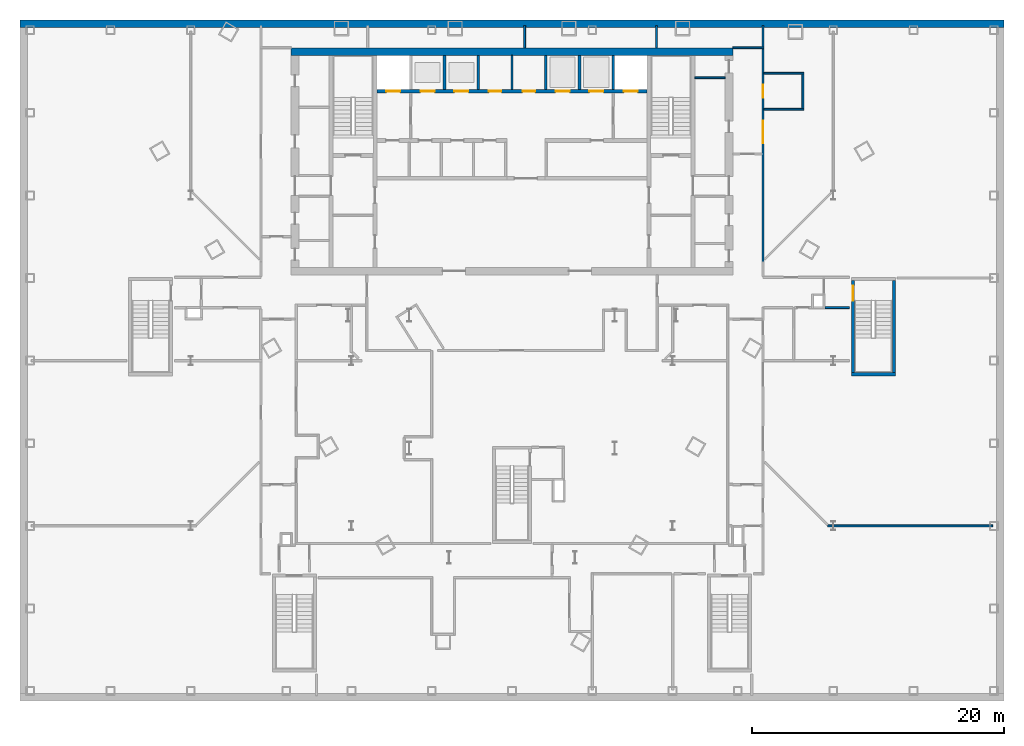
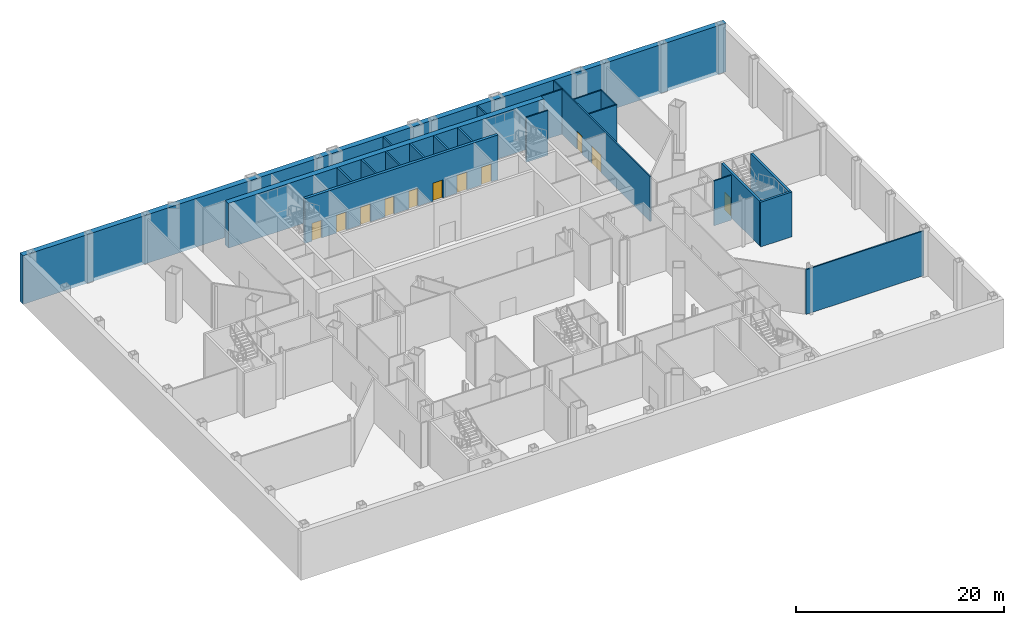
# One storey, part 10 of 18: 23 walls, 11 doors, 11 openings.
"""IFC4 building model written with IfcOpenShell, lengths in metres."""

from ifc_helpers import new_model, si_unit, direction, frame, frame_2d, origin, place, context, subcontext, project, spatial, rectangle, extrude, material, layer, layer_set, type_object, element, fill, save


model = new_model("IFC4")

# Units and contexts
model_context = context("Model", 3, precision=1e-05, world=origin(), true_north=direction((0.0, 1.0)))
body_context = subcontext(model_context, "Body", "Model", "MODEL_VIEW")
ifc_project = project(units=[si_unit("LENGTHUNIT", "METRE"), si_unit("AREAUNIT", "SQUARE_METRE"), si_unit("VOLUMEUNIT", "CUBIC_METRE"), si_unit("PLANEANGLEUNIT", "RADIAN"), si_unit("MASSUNIT", "GRAM", prefix="KILO")], contexts=[model_context])

# Site, building, storey
site_placement = place(None, origin())
site = spatial("IfcSite", under=ifc_project, at=site_placement, CompositionType="ELEMENT")
building_placement = place(site_placement, origin())
building = spatial("IfcBuilding", under=site, at=building_placement, Name="Njiva Tower", CompositionType="ELEMENT")
storey_placement = place(building_placement, frame((0.0, 0.0, -5.7)))
storey = spatial("IfcBuildingStorey", under=building, at=storey_placement, Name="B1", CompositionType="ELEMENT", Elevation=-5.7)

# Walls
ifc_material_1 = material(Name="Blockwork", Category="masonry")
ifc_layer_1 = layer(ifc_material_1, 0.15)
ifc_layer_set_1 = layer_set([ifc_layer_1], Name="Blockwork")
wall_type_1 = type_object("IfcWallType", Name="WT1 Compartment partition 150", PredefinedType="PARTITIONING", material=ifc_layer_set_1)
wall_1_placement = place(storey_placement, frame((0.0, 14.7, 0.0), z_axis=(0.0, 0.0, 1.0), x_axis=(0.0, 1.0, 0.0)))
element("IfcWall", 1, at=wall_1_placement, inside=storey, type_object=wall_type_1, Name="Partition CN4", PredefinedType="PARTITIONING", context=body_context, shape_type="SweptSolid", body=[
    extrude(rectangle(XDim=2.7, YDim=0.15, at=frame_2d((1.35, 0.0))), origin(), (0.0, 0.0, 1.0), 5.25),
])
wall_2_placement = place(storey_placement, frame((14.5, 15.6184, 0.0), z_axis=(0.0, 0.0, 1.0), x_axis=(1.0, 0.0, 0.0)))
element("IfcWall", 2, at=wall_2_placement, inside=storey, type_object=wall_type_1, Name="Partition strip E10", PredefinedType="PARTITIONING", context=body_context, shape_type="SweptSolid", body=[
    extrude(rectangle(XDim=2.4, YDim=0.15, at=frame_2d((1.2, 0.0))), origin(), (0.0, 0.0, 1.0), 5.25),
])
ifc_material_2 = material(Name="Concrete C60/75", Category="concrete")
ifc_layer_2 = layer(ifc_material_2, 0.6)
ifc_layer_set_2 = layer_set([ifc_layer_2], Name="Concrete C60/75")
wall_type_2 = type_object("IfcWallType", Name="WT15 Core wall 600", PredefinedType="SHEAR", material=ifc_layer_set_2)
wall_3_placement = place(storey_placement, frame((-17.5, 17.7, 0.0), z_axis=(0.0, 0.0, 1.0), x_axis=(1.0, 0.0, 0.0)))
element("IfcWall", 3, at=wall_3_placement, inside=storey, type_object=wall_type_2, Name="Core wall north", PredefinedType="SHEAR", context=body_context, shape_type="SweptSolid", body=[
    extrude(rectangle(XDim=35.0, YDim=0.6, at=frame_2d((17.5, 0.0))), origin(), (0.0, 0.0, 1.0), 5.25),
])

# Wall, openings, doors
ifc_material_3 = material(Name="Gypsum board on steel studs", Category="gypsum")
ifc_layer_3 = layer(ifc_material_3, 0.15)
ifc_layer_set_3 = layer_set([ifc_layer_3], Name="Gypsum board on steel studs")
wall_type_3 = type_object("IfcWallType", Name="WT21 Compartment wall 150", PredefinedType="PARTITIONING", material=ifc_layer_set_3)
wall_4_placement = place(storey_placement, frame((19.9, 1.025, 0.0), z_axis=(0.0, 0.0, 1.0), x_axis=(0.0, 1.0, 0.0)))
wall_4 = element("IfcWall", 4, at=wall_4_placement, inside=storey, type_object=wall_type_3, Name="Partition B1-P105", PredefinedType="PARTITIONING", context=body_context, shape_type="SweptSolid", body=[
    extrude(rectangle(XDim=16.9, YDim=0.15, at=frame_2d((8.45, 0.0))), origin(), (0.0, 0.0, 1.0), 5.25),
])
opening_1_placement = place(wall_4_placement, frame((9.396, 0.0, 0.0)))
opening_1 = element("IfcOpeningElement", 5, at=opening_1_placement, cuts=wall_4, Name="Opening B1-D033", PredefinedType="OPENING", context=body_context, shape_type="SweptSolid", body=[
    extrude(rectangle(XDim=1.8, YDim=2.1, at=frame_2d((0.9, 1.05))), frame((0.0, 0.085, 0.0), z_axis=(0.0, -1.0, 0.0), x_axis=(1.0, 0.0, 0.0)), (0.0, 0.0, 1.0), 0.17),
])
opening_2_placement = place(wall_4_placement, frame((13.027, 0.0, 0.0)))
opening_2 = element("IfcOpeningElement", 6, at=opening_2_placement, cuts=wall_4, Name="Opening B1-D034", PredefinedType="OPENING", context=body_context, shape_type="SweptSolid", body=[
    extrude(rectangle(XDim=1.0, YDim=2.1, at=frame_2d((0.5, 1.05))), frame((0.0, 0.085, 0.0), z_axis=(0.0, -1.0, 0.0), x_axis=(1.0, 0.0, 0.0)), (0.0, 0.0, 1.0), 0.17),
])
ifc_material_4 = material(Name="Steel fire door set", Category="steel")
door_type_1 = type_object("IfcDoorType", Name="D37 Fire door 1000x2100", OperationType="SINGLE_SWING_LEFT", PredefinedType="DOOR", material=ifc_material_4)
door_1_placement = place(opening_2_placement, origin())
door_1 = element("IfcDoor", 7, at=door_1_placement, inside=storey, type_object=door_type_1, Name="Door B1-D034", OperationType="SINGLE_SWING_RIGHT", OverallHeight=2.1, OverallWidth=1.0, PredefinedType="DOOR", context=body_context, shape_type="SweptSolid", body=[
    extrude(rectangle(XDim=1.0, YDim=2.1, at=frame_2d((0.5, 1.05))), frame((0.0, 0.025, 0.0), z_axis=(0.0, -1.0, 0.0), x_axis=(1.0, 0.0, 0.0)), (0.0, 0.0, 1.0), 0.05),
])
fill(opening_2, door_1)
door_type_2 = type_object("IfcDoorType", Name="D38 Fire door 1800x2100", OperationType="DOUBLE_DOOR_SINGLE_SWING", PredefinedType="DOOR", material=ifc_material_4)
door_2_placement = place(opening_1_placement, origin())
door_2 = element("IfcDoor", 8, at=door_2_placement, inside=storey, type_object=door_type_2, Name="Door B1-D033", OperationType="DOUBLE_DOOR_SINGLE_SWING", OverallHeight=2.1, OverallWidth=1.8, PredefinedType="DOOR", context=body_context, shape_type="SweptSolid", body=[
    extrude(rectangle(XDim=1.8, YDim=2.1, at=frame_2d((0.9, 1.05))), frame((0.0, 0.025, 0.0), z_axis=(0.0, -1.0, 0.0), x_axis=(1.0, 0.0, 0.0)), (0.0, 0.0, 1.0), 0.05),
])
fill(opening_1, door_2)

# Walls
for number, where, z_axis, x_axis, name in (
    (9, (19.975, 13.129, 0.0), (0.0, 0.0, 1.0), (1.0, 0.0, 0.0), "Partition B1-P110"),
    (10, (19.975, 15.975, 0.0), (0.0, 0.0, 1.0), (1.0, 0.0, 0.0), "Partition B1-P111"),
):
    element("IfcWall", number, at=place(storey_placement, frame(where, z_axis=z_axis, x_axis=x_axis)), inside=storey, type_object=wall_type_3, Name=name, PredefinedType="PARTITIONING", context=body_context, shape_type="SweptSolid", body=[
        extrude(rectangle(XDim=3.162, YDim=0.15, at=frame_2d((1.581, 0.0))), origin(), (0.0, 0.0, 1.0), 5.25),
    ])
wall_5_placement = place(storey_placement, frame((23.062, 13.204, 0.0), z_axis=(0.0, 0.0, 1.0), x_axis=(0.0, 1.0, 0.0)))
element("IfcWall", 11, at=wall_5_placement, inside=storey, type_object=wall_type_3, Name="Partition B1-P116", PredefinedType="PARTITIONING", context=body_context, shape_type="SweptSolid", body=[
    extrude(rectangle(XDim=2.696, YDim=0.15, at=frame_2d((1.348, 0.0))), origin(), (0.0, 0.0, 1.0), 5.25),
])
wall_6_placement = place(storey_placement, frame((24.8, -2.6, 0.0), z_axis=(0.0, 0.0, 1.0), x_axis=(1.0, 0.0, 0.0)))
element("IfcWall", 12, at=wall_6_placement, inside=storey, type_object=wall_type_3, Name="Partition B1-P122", PredefinedType="PARTITIONING", context=body_context, shape_type="SweptSolid", body=[
    extrude(rectangle(XDim=1.95, YDim=0.15, at=frame_2d((0.975, 0.0))), origin(), (0.0, 0.0, 1.0), 5.25),
])
wall_7_placement = place(storey_placement, frame((25.026, -19.9, 0.0), z_axis=(0.0, 0.0, 1.0), x_axis=(0.999999997075, 7.6487685e-05, 0.0)))
element("IfcWall", 13, at=wall_7_placement, inside=storey, type_object=wall_type_3, Name="Partition B1-P123", PredefinedType="PARTITIONING", context=body_context, shape_type="SweptSolid", body=[
    extrude(rectangle(XDim=13.074, YDim=0.15, at=frame_2d((6.537, 0.0))), origin(), (0.0, 0.0, 1.0), 5.25),
])
ifc_layer_4 = layer(ifc_material_3, 0.15)
ifc_layer_set_4 = layer_set([ifc_layer_4], Name="Gypsum board on steel studs")
wall_type_4 = type_object("IfcWallType", Name="WT24 Riser room wall 150", PredefinedType="PARTITIONING", material=ifc_layer_set_4)
for number, where, z_axis, x_axis, name in (
    (14, (1.0, 18.0, 0.0), (0.0, 0.0, 1.0), (0.0, 1.0, 0.0), "Partition B1-P065"),
    (15, (11.45, 18.0, 0.0), (0.0, 0.0, 1.0), (0.0, 1.0, 0.0), "Partition B1-P077"),
):
    element("IfcWall", number, at=place(storey_placement, frame(where, z_axis=z_axis, x_axis=x_axis)), inside=storey, type_object=wall_type_4, Name=name, PredefinedType="PARTITIONING", context=body_context, shape_type="SweptSolid", body=[
        extrude(rectangle(XDim=1.75, YDim=0.15, at=frame_2d((0.875, 0.0))), origin(), (0.0, 0.0, 1.0), 5.25),
    ])
wall_8_placement = place(storey_placement, frame((17.5, 18.0, 0.0), z_axis=(0.0, 0.0, 1.0), x_axis=(1.0, 0.0, 0.0)))
element("IfcWall", 16, at=wall_8_placement, inside=storey, type_object=wall_type_4, Name="Partition B1-P095", PredefinedType="PARTITIONING", context=body_context, shape_type="SweptSolid", body=[
    extrude(rectangle(XDim=2.475, YDim=0.15, at=frame_2d((1.2375, 0.0))), origin(), (0.0, 0.0, 1.0), 5.25),
])
wall_9_placement = place(storey_placement, frame((19.9, 18.075, 0.0), z_axis=(0.0, 0.0, 1.0), x_axis=(0.0, 1.0, 0.0)))
element("IfcWall", 17, at=wall_9_placement, inside=storey, type_object=wall_type_4, Name="Partition B1-P106", PredefinedType="PARTITIONING", context=body_context, shape_type="SweptSolid", body=[
    extrude(rectangle(XDim=1.675, YDim=0.15, at=frame_2d((0.8375, 0.0))), origin(), (0.0, 0.0, 1.0), 5.25),
])
ifc_material_5 = material(Name="Concrete C40/50", Category="concrete")
ifc_layer_5 = layer(ifc_material_5, 0.2)
ifc_layer_set_5 = layer_set([ifc_layer_5], Name="Concrete C40/50")
wall_type_5 = type_object("IfcWallType", Name="WT6 Lift shaft wall 200", PredefinedType="SHEAR", material=ifc_layer_set_5)
for number, where, z_axis, x_axis, name in (
    (18, (-5.35, 14.7, 0.0), (0.0, 0.0, 1.0), (0.0, 1.0, 0.0), "Shaft wall CN2"),
    (19, (-2.675, 14.7, 0.0), (0.0, 0.0, 1.0), (0.0, 1.0, 0.0), "Shaft wall CN3"),
    (20, (2.675, 14.7, 0.0), (0.0, 0.0, 1.0), (0.0, 1.0, 0.0), "Shaft wall CN5"),
    (21, (5.35, 14.7, 0.0), (0.0, 0.0, 1.0), (0.0, 1.0, 0.0), "Shaft wall CN6"),
    (22, (8.025, 14.7, 0.0), (0.0, 0.0, 1.0), (0.0, 1.0, 0.0), "Shaft wall CN7"),
):
    element("IfcWall", number, at=place(storey_placement, frame(where, z_axis=z_axis, x_axis=x_axis)), inside=storey, type_object=wall_type_5, Name=name, PredefinedType="SHEAR", context=body_context, shape_type="SweptSolid", body=[
        extrude(rectangle(XDim=2.7, YDim=0.2, at=frame_2d((1.35, 0.0))), origin(), (0.0, 0.0, 1.0), 5.25),
    ])

# Wall, openings, doors
ifc_layer_6 = layer(ifc_material_5, 0.3)
ifc_layer_set_6 = layer_set([ifc_layer_6], Name="Concrete C40/50")
wall_type_6 = type_object("IfcWallType", Name="WT7 Lift shaft wall 300", PredefinedType="SHEAR", material=ifc_layer_set_6)
wall_10_placement = place(storey_placement, frame((-10.7, 14.55, 0.0), z_axis=(0.0, 0.0, 1.0), x_axis=(1.0, 0.0, 0.0)))
wall_10 = element("IfcWall", 23, at=wall_10_placement, inside=storey, type_object=wall_type_6, Name="Shaft wall north row lobby side", PredefinedType="SHEAR", context=body_context, shape_type="SweptSolid", body=[
    extrude(rectangle(XDim=21.4, YDim=0.3, at=frame_2d((10.7, 0.0))), origin(), (0.0, 0.0, 1.0), 5.25),
])
opening_3_placement = place(wall_10_placement, frame((0.7375, 0.0, 0.0)))
opening_3 = element("IfcOpeningElement", 24, at=opening_3_placement, cuts=wall_10, Name="Opening B1-D901", PredefinedType="OPENING", context=body_context, shape_type="SweptSolid", body=[
    extrude(rectangle(XDim=1.1, YDim=2.1, at=frame_2d((0.55, 1.05))), frame((0.0, 0.16, 0.0), z_axis=(0.0, -1.0, 0.0), x_axis=(1.0, 0.0, 0.0)), (0.0, 0.0, 1.0), 0.32),
])
opening_4_placement = place(wall_10_placement, frame((3.4625, 0.0, 0.0)))
opening_4 = element("IfcOpeningElement", 25, at=opening_4_placement, cuts=wall_10, Name="Opening B1-D902", PredefinedType="OPENING", context=body_context, shape_type="SweptSolid", body=[
    extrude(rectangle(XDim=1.1, YDim=2.1, at=frame_2d((0.55, 1.05))), frame((0.0, 0.16, 0.0), z_axis=(0.0, -1.0, 0.0), x_axis=(1.0, 0.0, 0.0)), (0.0, 0.0, 1.0), 0.32),
])
opening_5_placement = place(wall_10_placement, frame((6.1375, 0.0, 0.0)))
opening_5 = element("IfcOpeningElement", 26, at=opening_5_placement, cuts=wall_10, Name="Opening B1-D903", PredefinedType="OPENING", context=body_context, shape_type="SweptSolid", body=[
    extrude(rectangle(XDim=1.1, YDim=2.1, at=frame_2d((0.55, 1.05))), frame((0.0, 0.16, 0.0), z_axis=(0.0, -1.0, 0.0), x_axis=(1.0, 0.0, 0.0)), (0.0, 0.0, 1.0), 0.32),
])
opening_6_placement = place(wall_10_placement, frame((14.1625, 0.0, 0.0)))
opening_6 = element("IfcOpeningElement", 27, at=opening_6_placement, cuts=wall_10, Name="Opening B1-D904", PredefinedType="OPENING", context=body_context, shape_type="SweptSolid", body=[
    extrude(rectangle(XDim=1.1, YDim=2.1, at=frame_2d((0.55, 1.05))), frame((0.0, 0.16, 0.0), z_axis=(0.0, -1.0, 0.0), x_axis=(1.0, 0.0, 0.0)), (0.0, 0.0, 1.0), 0.32),
])
opening_7_placement = place(wall_10_placement, frame((16.8375, 0.0, 0.0)))
opening_7 = element("IfcOpeningElement", 28, at=opening_7_placement, cuts=wall_10, Name="Opening B1-D905", PredefinedType="OPENING", context=body_context, shape_type="SweptSolid", body=[
    extrude(rectangle(XDim=1.1, YDim=2.1, at=frame_2d((0.55, 1.05))), frame((0.0, 0.16, 0.0), z_axis=(0.0, -1.0, 0.0), x_axis=(1.0, 0.0, 0.0)), (0.0, 0.0, 1.0), 0.32),
])
opening_8_placement = place(wall_10_placement, frame((19.5625, 0.0, 0.0)))
opening_8 = element("IfcOpeningElement", 29, at=opening_8_placement, cuts=wall_10, Name="Opening B1-D906", PredefinedType="OPENING", context=body_context, shape_type="SweptSolid", body=[
    extrude(rectangle(XDim=1.1, YDim=2.1, at=frame_2d((0.55, 1.05))), frame((0.0, 0.16, 0.0), z_axis=(0.0, -1.0, 0.0), x_axis=(1.0, 0.0, 0.0)), (0.0, 0.0, 1.0), 0.32),
])
opening_9_placement = place(wall_10_placement, frame((8.8625, 0.0, 0.0)))
opening_9 = element("IfcOpeningElement", 30, at=opening_9_placement, cuts=wall_10, Name="Opening B1-D907", PredefinedType="OPENING", context=body_context, shape_type="SweptSolid", body=[
    extrude(rectangle(XDim=1.0, YDim=2.1, at=frame_2d((0.5, 1.05))), frame((0.0, 0.16, 0.0), z_axis=(0.0, -1.0, 0.0), x_axis=(1.0, 0.0, 0.0)), (0.0, 0.0, 1.0), 0.32),
])
opening_10_placement = place(wall_10_placement, frame((11.5375, 0.0, 0.0)))
opening_10 = element("IfcOpeningElement", 31, at=opening_10_placement, cuts=wall_10, Name="Opening B1-D908", PredefinedType="OPENING", context=body_context, shape_type="SweptSolid", body=[
    extrude(rectangle(XDim=1.0, YDim=2.1, at=frame_2d((0.5, 1.05))), frame((0.0, 0.16, 0.0), z_axis=(0.0, -1.0, 0.0), x_axis=(1.0, 0.0, 0.0)), (0.0, 0.0, 1.0), 0.32),
])
ifc_material_6 = material(Name="Steel door, painted", Category="steel")
door_type_3 = type_object("IfcDoorType", Name="D5 Steel door 1000x2100", OperationType="SINGLE_SWING_LEFT", PredefinedType="DOOR", material=ifc_material_6)
door_3_placement = place(opening_9_placement, origin())
door_3 = element("IfcDoor", 32, at=door_3_placement, inside=storey, type_object=door_type_3, Name="Mechanical room door", OperationType="SINGLE_SWING_RIGHT", OverallHeight=2.1, OverallWidth=1.0, PredefinedType="DOOR", context=body_context, shape_type="SweptSolid", body=[
    extrude(rectangle(XDim=1.0, YDim=2.1, at=frame_2d((0.5, 1.05))), frame((0.0, 0.025, 0.0), z_axis=(0.0, -1.0, 0.0), x_axis=(1.0, 0.0, 0.0)), (0.0, 0.0, 1.0), 0.05),
])
fill(opening_9, door_3)
door_4_placement = place(opening_10_placement, origin())
door_4 = element("IfcDoor", 33, at=door_4_placement, inside=storey, type_object=door_type_3, Name="Pump room door", OperationType="SINGLE_SWING_LEFT", OverallHeight=2.1, OverallWidth=1.0, PredefinedType="DOOR", context=body_context, shape_type="SweptSolid", body=[
    extrude(rectangle(XDim=1.0, YDim=2.1, at=frame_2d((0.5, 1.05))), frame((0.0, 0.025, 0.0), z_axis=(0.0, -1.0, 0.0), x_axis=(1.0, 0.0, 0.0)), (0.0, 0.0, 1.0), 0.05),
])
fill(opening_10, door_4)
ifc_material_7 = material(Name="Stainless steel sliding door", Category="steel")
door_type_4 = type_object("IfcDoorType", Name="LD Lift landing door 1100x2100", OperationType="SLIDING_TO_LEFT", PredefinedType="DOOR", material=ifc_material_7)
door_5_placement = place(opening_3_placement, origin())
door_5 = element("IfcDoor", 34, at=door_5_placement, inside=storey, type_object=door_type_4, Name="Lift landing door FF1", OperationType="SLIDING_TO_LEFT", OverallHeight=2.1, OverallWidth=1.1, PredefinedType="DOOR", context=body_context, shape_type="SweptSolid", body=[
    extrude(rectangle(XDim=1.1, YDim=2.1, at=frame_2d((0.55, 1.05))), frame((0.0, 0.025, 0.0), z_axis=(0.0, -1.0, 0.0), x_axis=(1.0, 0.0, 0.0)), (0.0, 0.0, 1.0), 0.05),
])
fill(opening_3, door_5)
door_6_placement = place(opening_4_placement, origin())
door_6 = element("IfcDoor", 35, at=door_6_placement, inside=storey, type_object=door_type_4, Name="Lift landing door LB1", OperationType="SLIDING_TO_LEFT", OverallHeight=2.1, OverallWidth=1.1, PredefinedType="DOOR", context=body_context, shape_type="SweptSolid", body=[
    extrude(rectangle(XDim=1.1, YDim=2.1, at=frame_2d((0.55, 1.05))), frame((0.0, 0.025, 0.0), z_axis=(0.0, -1.0, 0.0), x_axis=(1.0, 0.0, 0.0)), (0.0, 0.0, 1.0), 0.05),
])
fill(opening_4, door_6)
door_7_placement = place(opening_5_placement, origin())
door_7 = element("IfcDoor", 36, at=door_7_placement, inside=storey, type_object=door_type_4, Name="Lift landing door LB2", OperationType="SLIDING_TO_LEFT", OverallHeight=2.1, OverallWidth=1.1, PredefinedType="DOOR", context=body_context, shape_type="SweptSolid", body=[
    extrude(rectangle(XDim=1.1, YDim=2.1, at=frame_2d((0.55, 1.05))), frame((0.0, 0.025, 0.0), z_axis=(0.0, -1.0, 0.0), x_axis=(1.0, 0.0, 0.0)), (0.0, 0.0, 1.0), 0.05),
])
fill(opening_5, door_7)
door_8_placement = place(opening_6_placement, origin())
door_8 = element("IfcDoor", 37, at=door_8_placement, inside=storey, type_object=door_type_4, Name="Lift landing door FR1", OperationType="SLIDING_TO_LEFT", OverallHeight=2.1, OverallWidth=1.1, PredefinedType="DOOR", context=body_context, shape_type="SweptSolid", body=[
    extrude(rectangle(XDim=1.1, YDim=2.1, at=frame_2d((0.55, 1.05))), frame((0.0, 0.025, 0.0), z_axis=(0.0, -1.0, 0.0), x_axis=(1.0, 0.0, 0.0)), (0.0, 0.0, 1.0), 0.05),
])
fill(opening_6, door_8)
door_9_placement = place(opening_7_placement, origin())
door_9 = element("IfcDoor", 38, at=door_9_placement, inside=storey, type_object=door_type_4, Name="Lift landing door FR2", OperationType="SLIDING_TO_LEFT", OverallHeight=2.1, OverallWidth=1.1, PredefinedType="DOOR", context=body_context, shape_type="SweptSolid", body=[
    extrude(rectangle(XDim=1.1, YDim=2.1, at=frame_2d((0.55, 1.05))), frame((0.0, 0.025, 0.0), z_axis=(0.0, -1.0, 0.0), x_axis=(1.0, 0.0, 0.0)), (0.0, 0.0, 1.0), 0.05),
])
fill(opening_7, door_9)
door_10_placement = place(opening_8_placement, origin())
door_10 = element("IfcDoor", 39, at=door_10_placement, inside=storey, type_object=door_type_4, Name="Lift landing door FF2", OperationType="SLIDING_TO_LEFT", OverallHeight=2.1, OverallWidth=1.1, PredefinedType="DOOR", context=body_context, shape_type="SweptSolid", body=[
    extrude(rectangle(XDim=1.1, YDim=2.1, at=frame_2d((0.55, 1.05))), frame((0.0, 0.025, 0.0), z_axis=(0.0, -1.0, 0.0), x_axis=(1.0, 0.0, 0.0)), (0.0, 0.0, 1.0), 0.05),
])
fill(opening_8, door_10)

# Wall, opening, door
ifc_layer_7 = layer(ifc_material_5, 0.25)
ifc_layer_set_7 = layer_set([ifc_layer_7], Name="Concrete C40/50")
wall_type_7 = type_object("IfcWallType", Name="WT9 Stair enclosure wall 250", PredefinedType="SHEAR", material=ifc_layer_set_7)
wall_11_placement = place(storey_placement, frame((27.025, -7.75, 0.0), z_axis=(0.0, 0.0, 1.0), x_axis=(0.0, 1.0, 0.0)))
wall_11 = element("IfcWall", 40, at=wall_11_placement, inside=storey, type_object=wall_type_7, Name="Stair G wall west", PredefinedType="SHEAR", context=body_context, shape_type="SweptSolid", body=[
    extrude(rectangle(XDim=7.3, YDim=0.25, at=frame_2d((3.65, 0.0))), origin(), (0.0, 0.0, 1.0), 5.25),
])
opening_11_placement = place(wall_11_placement, frame((5.7, 0.0, 0.0)))
opening_11 = element("IfcOpeningElement", 41, at=opening_11_placement, cuts=wall_11, Name="Opening B1-D942", PredefinedType="OPENING", context=body_context, shape_type="SweptSolid", body=[
    extrude(rectangle(XDim=1.2, YDim=2.1, at=frame_2d((0.6, 1.05))), frame((0.0, 0.135, 0.0), z_axis=(0.0, -1.0, 0.0), x_axis=(1.0, 0.0, 0.0)), (0.0, 0.0, 1.0), 0.27),
])
door_type_5 = type_object("IfcDoorType", Name="D1 Stair door 1200x2100", OperationType="SINGLE_SWING_LEFT", PredefinedType="DOOR", material=ifc_material_6)
door_11_placement = place(opening_11_placement, origin())
door_11 = element("IfcDoor", 42, at=door_11_placement, inside=storey, type_object=door_type_5, Name="Stair G door", OperationType="SINGLE_SWING_RIGHT", OverallHeight=2.1, OverallWidth=1.2, PredefinedType="DOOR", context=body_context, shape_type="SweptSolid", body=[
    extrude(rectangle(XDim=1.2, YDim=2.1, at=frame_2d((0.6, 1.05))), frame((0.0, 0.025, 0.0), z_axis=(0.0, -1.0, 0.0), x_axis=(1.0, 0.0, 0.0)), (0.0, 0.0, 1.0), 0.05),
])
fill(opening_11, door_11)

# Walls
wall_12_placement = place(storey_placement, frame((30.275, -7.75, 0.0), z_axis=(0.0, 0.0, 1.0), x_axis=(0.0, 1.0, 0.0)))
element("IfcWall", 43, at=wall_12_placement, inside=storey, type_object=wall_type_7, Name="Stair G wall east", PredefinedType="SHEAR", context=body_context, shape_type="SweptSolid", body=[
    extrude(rectangle(XDim=7.3, YDim=0.25, at=frame_2d((3.65, 0.0))), origin(), (0.0, 0.0, 1.0), 5.25),
])
wall_13_placement = place(storey_placement, frame((26.9, -7.875, 0.0), z_axis=(0.0, 0.0, 1.0), x_axis=(1.0, 0.0, 0.0)))
element("IfcWall", 44, at=wall_13_placement, inside=storey, type_object=wall_type_7, Name="Stair G wall south", PredefinedType="SHEAR", context=body_context, shape_type="SweptSolid", body=[
    extrude(rectangle(XDim=3.5, YDim=0.25, at=frame_2d((1.75, 0.0))), origin(), (0.0, 0.0, 1.0), 5.25),
])
ifc_layer_8 = layer(ifc_material_5, 0.6)
ifc_layer_set_8 = layer_set([ifc_layer_8], Name="Concrete C40/50")
wall_type_8 = type_object("IfcWallType", Name="WT93 Basement retaining wall 600", PredefinedType="STANDARD", material=ifc_layer_set_8)
wall_14_placement = place(storey_placement, frame((-39.0, 19.9, -0.4), z_axis=(0.0, 0.0, 1.0), x_axis=(1.0, 0.0, 0.0)))
element("IfcWall", 45, at=wall_14_placement, inside=storey, type_object=wall_type_8, Name="Basement retaining wall", PredefinedType="STANDARD", context=body_context, shape_type="SweptSolid", body=[
    extrude(rectangle(XDim=78.0, YDim=0.6, at=frame_2d((39.0, 0.0))), origin(), (0.0, 0.0, 1.0), 5.7),
])

save(model, "model.ifc")
